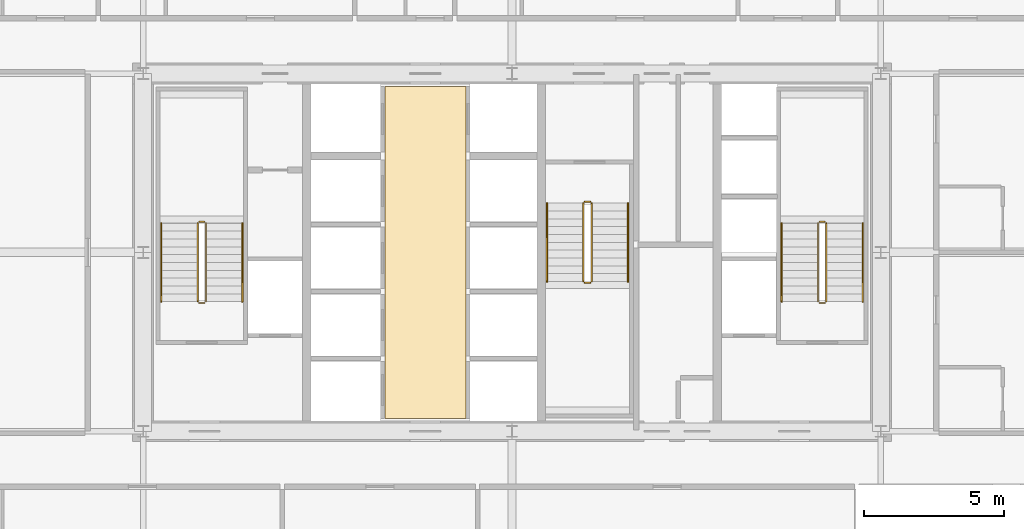
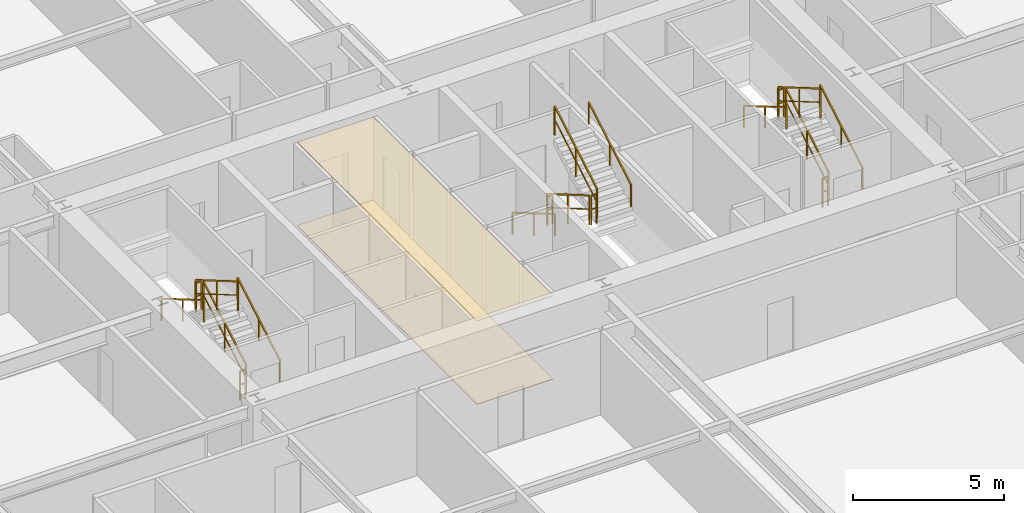
# One storey, part 38 of 38: 18 railings, 2 coverings.
"""IFC4 building model written with IfcOpenShell, lengths in metres."""

from ifc_helpers import new_model, si_unit, direction, frame, origin, origin_2d, place, context, subcontext, project, spatial, polyline, rectangle, outline, extrude, source, transform, mapped, material, layer, layer_set, type_object, element, save


model = new_model("IFC4")

# Units and contexts
model_context = context("Model", 3, precision=1e-05, world=origin(), true_north=direction((0.0, 1.0)))
body_context = subcontext(model_context, "Body", "Model", "MODEL_VIEW")
ifc_project = project(units=[si_unit("LENGTHUNIT", "METRE"), si_unit("AREAUNIT", "SQUARE_METRE"), si_unit("VOLUMEUNIT", "CUBIC_METRE"), si_unit("PLANEANGLEUNIT", "RADIAN"), si_unit("MASSUNIT", "GRAM", prefix="KILO"), si_unit("THERMODYNAMICTEMPERATUREUNIT", "KELVIN"), si_unit("POWERUNIT", "WATT")], contexts=[model_context])

# Site, building, storey
site_placement = place(None, origin())
site = spatial("IfcSite", under=ifc_project, at=site_placement, CompositionType="ELEMENT")
building_placement = place(site_placement, origin())
building = spatial("IfcBuilding", under=site, at=building_placement, Name="Yuzanri Waterfront Tower", CompositionType="ELEMENT")
storey_placement = place(building_placement, frame((0.0, 0.0, 119.0)))
storey = spatial("IfcBuildingStorey", under=building, at=storey_placement, Name="L31", CompositionType="ELEMENT", Elevation=119.0)

# Coverings
ifc_material_1 = material(Name="Engineered Smoked-Oak Timber", Category="wood")
ifc_layer_1 = layer(ifc_material_1, 0.02197265625)
ifc_layer_set_1 = layer_set([ifc_layer_1], Name="Engineered Smoked-Oak Timber")
covering_type_1 = type_object("IfcCoveringType", Name="Engineered Smoked-Oak Residence Flooring 22", PredefinedType="FLOORING", material=ifc_layer_set_1)
covering_1_placement = place(storey_placement, origin())
element("IfcCovering", 1, at=covering_1_placement, inside=storey, type_object=covering_type_1, Name="L31 Smoked-Oak Floor Finish", PredefinedType="FLOORING", context=body_context, shape_type="SweptSolid", body=[
    extrude(outline(polyline([(32.449951171875, 19.860107421875), (35.35009765625, 19.860107421875), (35.35009765625, 31.739990234375), (32.449951171875, 31.739990234375), (32.449951171875, 19.860107421875)])), origin(), (0.0, 0.0, 1.0), 0.02197265625),
])
ifc_material_2 = material(Name="Acoustic Mineral-Fibre Ceiling Board", Category="gypsum")
ifc_layer_2 = layer(ifc_material_2, 0.02490234375)
ifc_layer_set_2 = layer_set([ifc_layer_2], Name="Acoustic Mineral-Fibre Ceiling Board")
covering_type_2 = type_object("IfcCoveringType", Name="Perforated Mineral-Fibre Acoustic Ceiling Tile 25", PredefinedType="CEILING", material=ifc_layer_set_2)
covering_2_placement = place(storey_placement, frame((0.0, 0.0, 3.35498046875)))
element("IfcCovering", 2, at=covering_2_placement, inside=storey, type_object=covering_type_2, Name="L31 Acoustic Mineral-Fibre Ceiling", PredefinedType="CEILING", context=body_context, shape_type="SweptSolid", body=[
    extrude(outline(polyline([(32.449951171875, 19.860107421875), (35.35009765625, 19.860107421875), (35.35009765625, 31.739990234375), (32.449951171875, 31.739990234375), (32.449951171875, 19.860107421875)])), origin(), (0.0, 0.0, 1.0), 0.02490234375),
])

# Railings
ifc_material_3 = material(Name="Painted Galvanized Fire Steel", Category="steel")
ifc_layer_3 = layer(ifc_material_3, 0.06005859375)
ifc_layer_set_3 = layer_set([ifc_layer_3], Name="Painted Galvanized Fire Steel")
railing_type_1 = type_object("IfcRailingType", Name="Painted Steel Stairwell Guardrail 1120", PredefinedType="GUARDRAIL", material=ifc_layer_set_3)
shared_shape_1 = source(origin(), body_context, "Body", "SweptSolid", [
    extrude(rectangle(XDim=0.050048828125, YDim=0.050048828125, at=origin_2d()), frame((0.0, 0.0, 1.1748046875), z_axis=(-1.0, 0.0, 0.0), x_axis=(0.0, -1.0, 0.0)), (0.0, 0.0, 1.0), 0.199951171875),
    extrude(rectangle(XDim=0.035888671875, YDim=0.030029296875, at=origin_2d()), frame((0.0, 0.0, 0.6240234375), z_axis=(-1.0, 0.0, 0.0), x_axis=(0.0, -1.0, 0.0)), (0.0, 0.0, 1.0), 0.199951171875),
    extrude(rectangle(XDim=0.0458984375, YDim=0.0458984375, at=origin_2d()), origin(), (0.0, 0.0, 1.0), 1.14990234375),
    extrude(rectangle(XDim=0.0458984375, YDim=0.0458984375, at=origin_2d()), frame((-0.199951171875, 0.0, 0.0)), (0.0, 0.0, 1.0), 1.14990234375),
])
for number, where, name in (
    (3, (26.0, 26.889892578125, 1.800048828125), "L31 ST-01 stair guard 2"),
    (4, (26.0, 23.989990234375, 0.0), "L31 ST-01 stair guard 4"),
    (5, (48.199951171875, 26.889892578125, 1.800048828125), "L31 ST-02 stair guard 2"),
    (6, (48.199951171875, 23.989990234375, 0.0), "L31 ST-02 stair guard 4"),
):
    element("IfcRailing", number, at=place(storey_placement, frame(where)), inside=storey, type_object=railing_type_1, Name=name, PredefinedType="GUARDRAIL", context=body_context, shape_type="MappedRepresentation", body=[
        mapped(shared_shape_1, transform((0.0, 0.0, 0.0), scale=1.0)),
    ])
shared_shape_2 = source(origin(), body_context, "Body", "SweptSolid", [
    extrude(rectangle(XDim=0.050048828125, YDim=0.050048828125, at=origin_2d()), frame((0.0, 0.0, 1.1748046875), z_axis=(0.0, 0.863360870873, 0.504586966384), x_axis=(-1.0, 0.0, 0.0)), (0.0, 0.0, 1.0), 3.2431640625),
    extrude(rectangle(XDim=0.035888671875, YDim=0.030029296875, at=origin_2d()), frame((0.0, 0.0, 0.6240234375), z_axis=(0.0, 0.863360870873, 0.504586966384), x_axis=(-1.0, 0.0, 0.0)), (0.0, 0.0, 1.0), 3.2431640625),
    extrude(rectangle(XDim=0.0458984375, YDim=0.0458984375, at=origin_2d()), origin(), (0.0, 0.0, 1.0), 1.14990234375),
    extrude(rectangle(XDim=0.0458984375, YDim=0.0458984375, at=origin_2d()), frame((0.0, 1.39990234375, 0.818359375)), (0.0, 0.0, 1.0), 1.14990234375),
    extrude(rectangle(XDim=0.0458984375, YDim=0.0458984375, at=origin_2d()), frame((0.0, 2.800048828125, 1.636474609375)), (0.0, 0.0, 1.0), 1.14990234375),
])
for number, where, name in (
    (7, (26.050048828125, 24.0400390625, 0.16357421875), "L31 ST-01 stair guard 1"),
    (8, (48.25, 24.0400390625, 0.16357421875), "L31 ST-02 stair guard 1"),
    (9, (39.85009765625, 24.760009765625, 1.963623046875), "L31 ST-03 stair guard 3"),
):
    element("IfcRailing", number, at=place(storey_placement, frame(where)), inside=storey, type_object=railing_type_1, Name=name, PredefinedType="GUARDRAIL", context=body_context, shape_type="MappedRepresentation", body=[
        mapped(shared_shape_2, transform((0.0, 0.0, 0.0), scale=1.0)),
    ])
shared_shape_3 = source(origin(), body_context, "Body", "SweptSolid", [
    extrude(rectangle(XDim=0.050048828125, YDim=0.050048828125, at=origin_2d()), frame((0.0, 0.0, 1.1748046875), z_axis=(0.0, -0.863360870873, 0.504586966384), x_axis=(1.0, 0.0, 0.0)), (0.0, 0.0, 1.0), 3.2431640625),
    extrude(rectangle(XDim=0.035888671875, YDim=0.030029296875, at=origin_2d()), frame((0.0, 0.0, 0.6240234375), z_axis=(0.0, -0.863360870873, 0.504586966384), x_axis=(1.0, 0.0, 0.0)), (0.0, 0.0, 1.0), 3.2431640625),
    extrude(rectangle(XDim=0.0458984375, YDim=0.0458984375, at=origin_2d()), origin(), (0.0, 0.0, 1.0), 1.14990234375),
    extrude(rectangle(XDim=0.0458984375, YDim=0.0458984375, at=origin_2d()), frame((0.0, -1.39990234375, 0.818359375)), (0.0, 0.0, 1.0), 1.14990234375),
    extrude(rectangle(XDim=0.0458984375, YDim=0.0458984375, at=origin_2d()), frame((0.0, -2.800048828125, 1.636474609375)), (0.0, 0.0, 1.0), 1.14990234375),
])
for number, where, name in (
    (10, (25.75, 26.840087890625, 1.963623046875), "L31 ST-01 stair guard 3"),
    (11, (47.949951171875, 26.840087890625, 1.963623046875), "L31 ST-02 stair guard 3"),
    (12, (39.550048828125, 27.56005859375, 0.16357421875), "L31 ST-03 stair guard 1"),
):
    element("IfcRailing", number, at=place(storey_placement, frame(where)), inside=storey, type_object=railing_type_1, Name=name, PredefinedType="GUARDRAIL", context=body_context, shape_type="MappedRepresentation", body=[
        mapped(shared_shape_3, transform((0.0, 0.0, 0.0), scale=1.0)),
    ])
ifc_material_4 = material(Name="Anodized Architectural Bronze", Category="metal")
ifc_layer_4 = layer(ifc_material_4, 0.050048828125)
ifc_layer_set_4 = layer_set([ifc_layer_4], Name="Anodized Architectural Bronze")
railing_type_2 = type_object("IfcRailingType", Name="Brushed Bronze Stair Pitch Handrail 920", PredefinedType="HANDRAIL", material=ifc_layer_set_4)
shared_shape_4 = source(origin(), body_context, "Body", "SweptSolid", [
    extrude(rectangle(XDim=0.050048828125, YDim=0.050048828125, at=origin_2d()), frame((0.0, 0.0, 0.875), z_axis=(0.0, 0.863360870873, 0.504586966384), x_axis=(-1.0, 0.0, 0.0)), (0.0, 0.0, 1.0), 3.2431640625),
    extrude(rectangle(XDim=0.0458984375, YDim=0.0458984375, at=origin_2d()), origin(), (0.0, 0.0, 1.0), 0.849853515625),
    extrude(rectangle(XDim=0.0458984375, YDim=0.0458984375, at=origin_2d()), frame((0.0, 1.39990234375, 0.818359375)), (0.0, 0.0, 1.0), 0.849853515625),
    extrude(rectangle(XDim=0.0458984375, YDim=0.0458984375, at=origin_2d()), frame((0.0, 2.800048828125, 1.636474609375)), (0.0, 0.0, 1.0), 0.849853515625),
])
for number, where, name in (
    (13, (27.35009765625, 24.0400390625, 0.16357421875), "L31 ST-01 stair handrail 1"),
    (14, (49.550048828125, 24.0400390625, 0.16357421875), "L31 ST-02 stair handrail 1"),
    (15, (41.14990234375, 24.760009765625, 1.963623046875), "L31 ST-03 stair handrail 2"),
):
    element("IfcRailing", number, at=place(storey_placement, frame(where)), inside=storey, type_object=railing_type_2, Name=name, PredefinedType="HANDRAIL", context=body_context, shape_type="MappedRepresentation", body=[
        mapped(shared_shape_4, transform((0.0, 0.0, 0.0), scale=1.0)),
    ])
shared_shape_5 = source(origin(), body_context, "Body", "SweptSolid", [
    extrude(rectangle(XDim=0.050048828125, YDim=0.050048828125, at=origin_2d()), frame((0.0, 0.0, 0.875), z_axis=(0.0, -0.863360870873, 0.504586966384), x_axis=(1.0, 0.0, 0.0)), (0.0, 0.0, 1.0), 3.2431640625),
    extrude(rectangle(XDim=0.0458984375, YDim=0.0458984375, at=origin_2d()), origin(), (0.0, 0.0, 1.0), 0.849853515625),
    extrude(rectangle(XDim=0.0458984375, YDim=0.0458984375, at=origin_2d()), frame((0.0, -1.39990234375, 0.818359375)), (0.0, 0.0, 1.0), 0.849853515625),
    extrude(rectangle(XDim=0.0458984375, YDim=0.0458984375, at=origin_2d()), frame((0.0, -2.800048828125, 1.636474609375)), (0.0, 0.0, 1.0), 0.849853515625),
])
for number, where, name in (
    (16, (24.449951171875, 26.840087890625, 1.963623046875), "L31 ST-01 stair handrail 2"),
    (17, (46.64990234375, 26.840087890625, 1.963623046875), "L31 ST-02 stair handrail 2"),
    (18, (38.25, 27.56005859375, 0.16357421875), "L31 ST-03 stair handrail 1"),
):
    element("IfcRailing", number, at=place(storey_placement, frame(where)), inside=storey, type_object=railing_type_2, Name=name, PredefinedType="HANDRAIL", context=body_context, shape_type="MappedRepresentation", body=[
        mapped(shared_shape_5, transform((0.0, 0.0, 0.0), scale=1.0)),
    ])
shared_shape_6 = source(origin(), body_context, "Body", "SweptSolid", [
    extrude(rectangle(XDim=0.050048828125, YDim=0.050048828125, at=origin_2d()), frame((0.0, 0.0, 1.1748046875), z_axis=(1.0, 0.0, 0.0), x_axis=(0.0, 1.0, 0.0)), (0.0, 0.0, 1.0), 0.199951171875),
    extrude(rectangle(XDim=0.035888671875, YDim=0.030029296875, at=origin_2d()), frame((0.0, 0.0, 0.6240234375), z_axis=(1.0, 0.0, 0.0), x_axis=(0.0, 1.0, 0.0)), (0.0, 0.0, 1.0), 0.199951171875),
    extrude(rectangle(XDim=0.0458984375, YDim=0.0458984375, at=origin_2d()), origin(), (0.0, 0.0, 1.0), 1.14990234375),
    extrude(rectangle(XDim=0.0458984375, YDim=0.0458984375, at=origin_2d()), frame((0.199951171875, 0.0, 0.0)), (0.0, 0.0, 1.0), 1.14990234375),
])
for number, where, name in (
    (19, (39.60009765625, 24.7099609375, 1.800048828125), "L31 ST-03 stair guard 2"),
    (20, (39.60009765625, 27.610107421875, 0.0), "L31 ST-03 stair guard 4"),
):
    element("IfcRailing", number, at=place(storey_placement, frame(where)), inside=storey, type_object=railing_type_1, Name=name, PredefinedType="GUARDRAIL", context=body_context, shape_type="MappedRepresentation", body=[
        mapped(shared_shape_6, transform((0.0, 0.0, 0.0), scale=1.0)),
    ])

save(model, "model.ifc")
